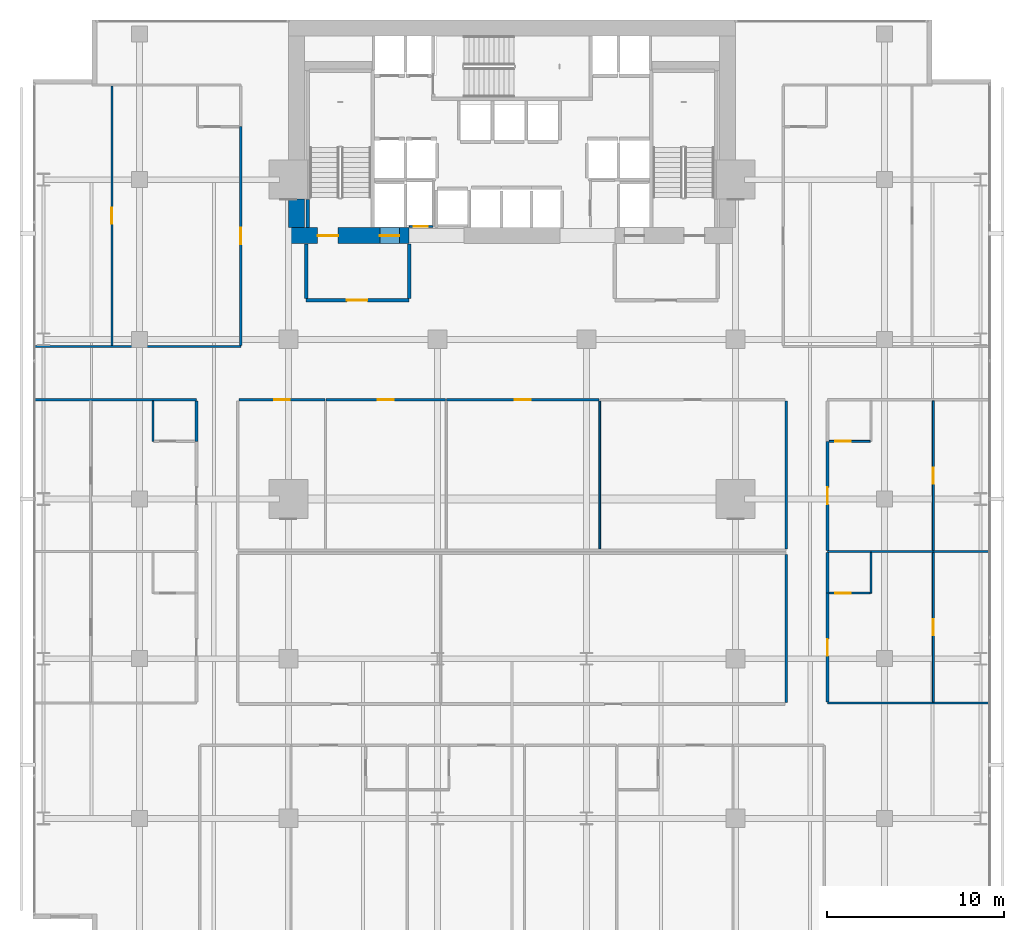
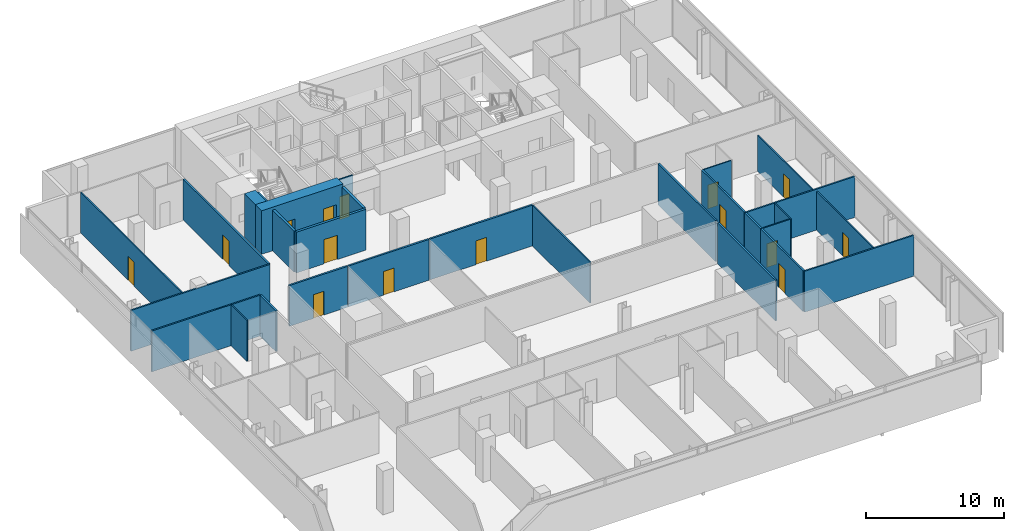
# One storey, part 34 of 39: 29 walls, 15 doors, 15 openings.
"""IFC4 building model written with IfcOpenShell, lengths in metres."""

from ifc_helpers import new_model, si_unit, direction, frame, frame_2d, origin, place, context, subcontext, project, spatial, rectangle, extrude, material, layer, layer_set, type_object, element, fill, save


model = new_model("IFC4")

# Units and contexts
model_context = context("Model", 3, precision=1e-05, world=origin(), true_north=direction((0.0, 1.0)))
body_context = subcontext(model_context, "Body", "Model", "MODEL_VIEW")
ifc_project = project(units=[si_unit("LENGTHUNIT", "METRE"), si_unit("AREAUNIT", "SQUARE_METRE"), si_unit("VOLUMEUNIT", "CUBIC_METRE"), si_unit("PLANEANGLEUNIT", "RADIAN"), si_unit("MASSUNIT", "GRAM", prefix="KILO")], contexts=[model_context])

# Site, building, storey
site_placement = place(None, origin())
site = spatial("IfcSite", under=ifc_project, at=site_placement, CompositionType="ELEMENT")
building_placement = place(site_placement, origin())
building = spatial("IfcBuilding", under=site, at=building_placement, Name="Maruvema Waterfront Hotel and Observation Tower", CompositionType="ELEMENT")
storey_placement = place(building_placement, frame((0.0, 0.0, 69.300048828125)))
storey = spatial("IfcBuildingStorey", under=building, at=storey_placement, Name="L16", CompositionType="ELEMENT", Elevation=69.300048828125)

# Wall
ifc_material_1 = material(Name="Twin-stud acoustic gypsum drywall", Category="gypsum")
ifc_layer_1 = layer(ifc_material_1, 0.14990234375, Name="Acoustic Corridor and Suite Demising Wall 150 mm")
ifc_layer_set_1 = layer_set([ifc_layer_1], Name="Twin-stud acoustic gypsum drywall")
wall_type_1 = type_object("IfcWallType", Name="Acoustic Corridor and Suite Demising Wall 150 mm", PredefinedType="PARTITIONING", material=ifc_layer_set_1)
wall_1_placement = place(storey_placement, frame((53.25, 24.18994140625, 0.0), z_axis=(0.0, 0.0, 1.0), x_axis=(0.0, 1.0, 0.0)))
element("IfcWall", 1, at=wall_1_placement, inside=storey, type_object=wall_type_1, Name="L16 L16-INTN East Wall 014", PredefinedType="PARTITIONING", context=body_context, shape_type="SweptSolid", body=[
    extrude(rectangle(XDim=8.330078125, YDim=0.14990234375, at=frame_2d((4.1650390625, 0.0))), origin(), (0.0, 0.0, 1.0), 3.60986328125),
])

# Wall, opening, door
wall_2_placement = place(storey_placement, frame((22.409912109375, 32.60009765625, 0.0), z_axis=(0.0, 0.0, 1.0), x_axis=(1.0, 0.0, 0.0)))
wall_2 = element("IfcWall", 2, at=wall_2_placement, inside=storey, type_object=wall_type_1, Name="L16 L16-INTN Front 1 015", PredefinedType="PARTITIONING", context=body_context, shape_type="SweptSolid", body=[
    extrude(rectangle(XDim=4.85400390625, YDim=0.14990234375, at=frame_2d((2.427001953125, 0.0))), origin(), (0.0, 0.0, 1.0), 3.60986328125),
])
opening_1_placement = place(wall_2_placement, frame((1.97705078125, 0.0, 0.0)))
opening_1 = element("IfcOpeningElement", 3, at=opening_1_placement, cuts=wall_2, Name="Opening DR-090", PredefinedType="OPENING", context=body_context, shape_type="SweptSolid", body=[
    extrude(rectangle(XDim=0.89990234375, YDim=2.10009765625, at=frame_2d((0.449951171875, 1.050048828125))), frame((0.0, 0.0849609375, 0.0), z_axis=(0.0, -1.0, 0.0), x_axis=(1.0, 0.0, 0.0)), (0.0, 0.0, 1.0), 0.169921875),
])
ifc_material_2 = material(Name="Solid-core lacquered timber leaf", Category="wood")
door_type_1 = type_object("IfcDoorType", Name="Accessible Toilet and Room Door 900x2100 mm", OperationType="NOTDEFINED", PredefinedType="DOOR", material=ifc_material_2)
door_1_placement = place(opening_1_placement, origin())
door_1 = element("IfcDoor", 4, at=door_1_placement, inside=storey, type_object=door_type_1, Name="L16 Diplomatic Dining Kitchen Door", OperationType="SINGLE_SWING_LEFT", OverallHeight=2.10009765625, OverallWidth=0.89990234375, PredefinedType="DOOR", context=body_context, shape_type="SweptSolid", body=[
    extrude(rectangle(XDim=0.89990234375, YDim=2.10009765625, at=frame_2d((0.449951171875, 1.050048828125))), frame((0.0, 0.02490234375, 0.0), z_axis=(0.0, -1.0, 0.0), x_axis=(1.0, 0.0, 0.0)), (0.0, 0.0, 1.0), 0.050048828125),
])
fill(opening_1, door_1)

wall_3_placement = place(storey_placement, frame((27.323974609375, 32.60009765625, 0.0), z_axis=(0.0, 0.0, 1.0), x_axis=(1.0, 0.0, 0.0)))
wall_3 = element("IfcWall", 5, at=wall_3_placement, inside=storey, type_object=wall_type_1, Name="L16 L16-INTN Front 2 017", PredefinedType="PARTITIONING", context=body_context, shape_type="SweptSolid", body=[
    extrude(rectangle(XDim=6.738037109375, YDim=0.14990234375, at=frame_2d((3.369140625, 0.0))), origin(), (0.0, 0.0, 1.0), 3.60986328125),
])
opening_2_placement = place(wall_3_placement, frame((2.9189453125, 0.0, 0.0)))
opening_2 = element("IfcOpeningElement", 6, at=opening_2_placement, cuts=wall_3, Name="Opening DR-090", PredefinedType="OPENING", context=body_context, shape_type="SweptSolid", body=[
    extrude(rectangle(XDim=0.89990234375, YDim=2.10009765625, at=frame_2d((0.449951171875, 1.050048828125))), frame((0.0, 0.0849609375, 0.0), z_axis=(0.0, -1.0, 0.0), x_axis=(1.0, 0.0, 0.0)), (0.0, 0.0, 1.0), 0.169921875),
])
door_2_placement = place(opening_2_placement, origin())
door_2 = element("IfcDoor", 7, at=door_2_placement, inside=storey, type_object=door_type_1, Name="L16 Private Study Office 1 Door", OperationType="SINGLE_SWING_RIGHT", OverallHeight=2.10009765625, OverallWidth=0.89990234375, PredefinedType="DOOR", context=body_context, shape_type="SweptSolid", body=[
    extrude(rectangle(XDim=0.89990234375, YDim=2.10009765625, at=frame_2d((0.449951171875, 1.050048828125))), frame((0.0, 0.02490234375, 0.0), z_axis=(0.0, -1.0, 0.0), x_axis=(1.0, 0.0, 0.0)), (0.0, 0.0, 1.0), 0.050048828125),
])
fill(opening_2, door_2)

wall_4_placement = place(storey_placement, frame((34.1220703125, 32.60009765625, 0.0), z_axis=(0.0, 0.0, 1.0), x_axis=(1.0, 0.0, 0.0)))
wall_4 = element("IfcWall", 8, at=wall_4_placement, inside=storey, type_object=wall_type_1, Name="L16 L16-INTN Front 3 019", PredefinedType="PARTITIONING", context=body_context, shape_type="SweptSolid", body=[
    extrude(rectangle(XDim=8.592041015625, YDim=0.14990234375, at=frame_2d((4.2958984375, 0.0))), origin(), (0.0, 0.0, 1.0), 3.60986328125),
])
opening_3_placement = place(wall_4_placement, frame((3.845947265625, 0.0, 0.0)))
opening_3 = element("IfcOpeningElement", 9, at=opening_3_placement, cuts=wall_4, Name="Opening DR-090", PredefinedType="OPENING", context=body_context, shape_type="SweptSolid", body=[
    extrude(rectangle(XDim=0.89990234375, YDim=2.10009765625, at=frame_2d((0.449951171875, 1.050048828125))), frame((0.0, 0.0849609375, 0.0), z_axis=(0.0, -1.0, 0.0), x_axis=(1.0, 0.0, 0.0)), (0.0, 0.0, 1.0), 0.169921875),
])
door_3_placement = place(opening_3_placement, origin())
door_3 = element("IfcDoor", 10, at=door_3_placement, inside=storey, type_object=door_type_1, Name="L16 Private Study Office 2 Door", OperationType="SINGLE_SWING_LEFT", OverallHeight=2.10009765625, OverallWidth=0.89990234375, PredefinedType="DOOR", context=body_context, shape_type="SweptSolid", body=[
    extrude(rectangle(XDim=0.89990234375, YDim=2.10009765625, at=frame_2d((0.449951171875, 1.050048828125))), frame((0.0, 0.02490234375, 0.0), z_axis=(0.0, -1.0, 0.0), x_axis=(1.0, 0.0, 0.0)), (0.0, 0.0, 1.0), 0.050048828125),
])
fill(opening_3, door_3)

# Wall
wall_5_placement = place(storey_placement, frame((53.25, 15.530029296875, 0.0), z_axis=(0.0, 0.0, 1.0), x_axis=(0.0, 1.0, 0.0)))
element("IfcWall", 11, at=wall_5_placement, inside=storey, type_object=wall_type_1, Name="L16 L16-INTS East Wall 024", PredefinedType="PARTITIONING", context=body_context, shape_type="SweptSolid", body=[
    extrude(rectangle(XDim=8.340087890625, YDim=0.14990234375, at=frame_2d((4.169921875, 0.0))), origin(), (0.0, 0.0, 1.0), 3.60986328125),
])

# Wall, opening, door
wall_6_placement = place(storey_placement, frame((55.580078125, 15.56005859375, 0.0), z_axis=(0.0, 0.0, 1.0), x_axis=(0.0, 1.0, 0.0)))
wall_6 = element("IfcWall", 12, at=wall_6_placement, inside=storey, type_object=wall_type_1, Name="L16 Room L16-E1 Corridor Wall 059", PredefinedType="PARTITIONING", context=body_context, shape_type="SweptSolid", body=[
    extrude(rectangle(XDim=6.139892578125, YDim=0.14990234375, at=frame_2d((3.06982421875, 0.0))), origin(), (0.0, 0.0, 1.0), 3.60986328125),
])
opening_4_placement = place(wall_6_placement, frame((2.594970703125, 0.0, 0.0)))
opening_4 = element("IfcOpeningElement", 13, at=opening_4_placement, cuts=wall_6, Name="Opening DR-095", PredefinedType="OPENING", context=body_context, shape_type="SweptSolid", body=[
    extrude(rectangle(XDim=0.949951171875, YDim=2.14990234375, at=frame_2d((0.47509765625, 1.074951171875))), frame((0.0, 0.0849609375, 0.0), z_axis=(0.0, -1.0, 0.0), x_axis=(1.0, 0.0, 0.0)), (0.0, 0.0, 1.0), 0.169921875),
])
ifc_material_3 = material(Name="Acoustic solid-core hardwood timber leaf", Category="wood")
door_type_2 = type_object("IfcDoorType", Name="Guestroom Entrance Fire Door 950x2150 mm", OperationType="NOTDEFINED", PredefinedType="DOOR", material=ifc_material_3)
door_4_placement = place(opening_4_placement, frame((0.949951171875, 0.0, 0.0), z_axis=(0.0, 0.0, 1.0), x_axis=(-1.0, 0.0, 0.0)))
door_4 = element("IfcDoor", 14, at=door_4_placement, inside=storey, type_object=door_type_2, Name="L16 Room L16-E1 Entrance Door", OperationType="SINGLE_SWING_RIGHT", OverallHeight=2.14990234375, OverallWidth=0.949951171875, PredefinedType="DOOR", context=body_context, shape_type="SweptSolid", body=[
    extrude(rectangle(XDim=0.949951171875, YDim=2.14990234375, at=frame_2d((0.47509765625, 1.074951171875))), frame((0.0, 0.02490234375, 0.0), z_axis=(0.0, -1.0, 0.0), x_axis=(1.0, 0.0, 0.0)), (0.0, 0.0, 1.0), 0.050048828125),
])
fill(opening_4, door_4)

# Walls
for number, where, z_axis, x_axis, name in (
    (15, (55.580078125, 21.699951171875, 0.0), (0.0, 0.0, 1.0), (0.0, 1.0, 0.0), "L16 Bath L16-E1 Wall 060"),
    (16, (20.02001953125, 30.25, 0.0), (0.0, 0.0, 1.0), (0.0, 1.0, 0.0), "L16 Bath L16-W2 Wall 067"),
):
    element("IfcWall", number, at=place(storey_placement, frame(where, z_axis=z_axis, x_axis=x_axis)), inside=storey, type_object=wall_type_1, Name=name, PredefinedType="PARTITIONING", context=body_context, shape_type="SweptSolid", body=[
        extrude(rectangle(XDim=2.2900390625, YDim=0.14990234375, at=frame_2d((1.14501953125, 0.0))), origin(), (0.0, 0.0, 1.0), 3.60986328125),
    ])

# Wall, opening, door
wall_7_placement = place(storey_placement, frame((55.580078125, 24.110107421875, 0.0), z_axis=(0.0, 0.0, 1.0), x_axis=(0.0, 1.0, 0.0)))
wall_7 = element("IfcWall", 17, at=wall_7_placement, inside=storey, type_object=wall_type_1, Name="L16 Room L16-E2 Corridor Wall 071", PredefinedType="PARTITIONING", context=body_context, shape_type="SweptSolid", body=[
    extrude(rectangle(XDim=6.139892578125, YDim=0.14990234375, at=frame_2d((3.06982421875, 0.0))), origin(), (0.0, 0.0, 1.0), 3.60986328125),
])
opening_5_placement = place(wall_7_placement, frame((2.594970703125, 0.0, 0.0)))
opening_5 = element("IfcOpeningElement", 18, at=opening_5_placement, cuts=wall_7, Name="Opening DR-095", PredefinedType="OPENING", context=body_context, shape_type="SweptSolid", body=[
    extrude(rectangle(XDim=0.949951171875, YDim=2.14990234375, at=frame_2d((0.47509765625, 1.074951171875))), frame((0.0, 0.0849609375, 0.0), z_axis=(0.0, -1.0, 0.0), x_axis=(1.0, 0.0, 0.0)), (0.0, 0.0, 1.0), 0.169921875),
])
door_5_placement = place(opening_5_placement, frame((0.949951171875, 0.0, 0.0), z_axis=(0.0, 0.0, 1.0), x_axis=(-1.0, 0.0, 0.0)))
door_5 = element("IfcDoor", 19, at=door_5_placement, inside=storey, type_object=door_type_2, Name="L16 Room L16-E2 Entrance Door", OperationType="SINGLE_SWING_RIGHT", OverallHeight=2.14990234375, OverallWidth=0.949951171875, PredefinedType="DOOR", context=body_context, shape_type="SweptSolid", body=[
    extrude(rectangle(XDim=0.949951171875, YDim=2.14990234375, at=frame_2d((0.47509765625, 1.074951171875))), frame((0.0, 0.02490234375, 0.0), z_axis=(0.0, -1.0, 0.0), x_axis=(1.0, 0.0, 0.0)), (0.0, 0.0, 1.0), 0.050048828125),
])
fill(opening_5, door_5)

wall_8_placement = place(storey_placement, frame((22.52001953125, 35.659912109375, 0.0), z_axis=(0.0, 0.0, 1.0), x_axis=(0.0, 1.0, 0.0)))
wall_8 = element("IfcWall", 20, at=wall_8_placement, inside=storey, type_object=wall_type_1, Name="L16 Room L16-NW1 Corridor Wall 080", PredefinedType="PARTITIONING", context=body_context, shape_type="SweptSolid", body=[
    extrude(rectangle(XDim=12.32763671875, YDim=0.14990234375, at=frame_2d((6.163818359375, 0.0))), origin(), (0.0, 0.0, 1.0), 3.60986328125),
])
opening_6_placement = place(wall_8_placement, frame((5.688720703125, 0.0, 0.0)))
opening_6 = element("IfcOpeningElement", 21, at=opening_6_placement, cuts=wall_8, Name="Opening DR-095", PredefinedType="OPENING", context=body_context, shape_type="SweptSolid", body=[
    extrude(rectangle(XDim=0.949951171875, YDim=2.14990234375, at=frame_2d((0.47509765625, 1.074951171875))), frame((0.0, 0.0849609375, 0.0), z_axis=(0.0, -1.0, 0.0), x_axis=(1.0, 0.0, 0.0)), (0.0, 0.0, 1.0), 0.169921875),
])
door_6_placement = place(opening_6_placement, origin())
door_6 = element("IfcDoor", 22, at=door_6_placement, inside=storey, type_object=door_type_2, Name="L16 Room L16-NW1 Entrance Door", OperationType="SINGLE_SWING_LEFT", OverallHeight=2.14990234375, OverallWidth=0.949951171875, PredefinedType="DOOR", context=body_context, shape_type="SweptSolid", body=[
    extrude(rectangle(XDim=0.949951171875, YDim=2.14990234375, at=frame_2d((0.47509765625, 1.074951171875))), frame((0.0, 0.02490234375, 0.0), z_axis=(0.0, -1.0, 0.0), x_axis=(1.0, 0.0, 0.0)), (0.0, 0.0, 1.0), 0.050048828125),
])
fill(opening_6, door_6)

# Wall
ifc_material_4 = material(Name="Precast concrete C45/55", Category="concrete")
ifc_layer_2 = layer(ifc_material_4, 0.199951171875, Name="Core Shaft and Stairwell Enclosure Wall 200 mm")
ifc_layer_set_2 = layer_set([ifc_layer_2], Name="Precast concrete C45/55")
wall_type_2 = type_object("IfcWallType", Name="Core Shaft and Stairwell Enclosure Wall 200 mm", PredefinedType="SOLIDWALL", material=ifc_layer_set_2)
wall_9_placement = place(storey_placement, frame((26.300048828125, 42.300048828125, 0.0), z_axis=(0.0, 0.0, 1.0), x_axis=(0.0, 1.0, 0.0)))
element("IfcWall", 23, at=wall_9_placement, inside=storey, type_object=wall_type_2, Name="L16 Stairwell ST-01 Shaft Lining Wall", PredefinedType="SOLIDWALL", context=body_context, shape_type="SweptSolid", body=[
    extrude(rectangle(XDim=1.579833984375, YDim=0.199951171875, at=frame_2d((0.7900390625, 0.0))), origin(), (0.0, 0.0, 1.0), 3.60986328125),
])

# Wall, openings, doors
ifc_material_5 = material(Name="Concrete C80/95", Category="concrete")
ifc_layer_3 = layer(ifc_material_5, 0.89990234375, Name="Core Shear Wall 900 mm")
ifc_layer_set_3 = layer_set([ifc_layer_3], Name="Concrete C80/95")
wall_type_3 = type_object("IfcWallType", Name="Core Shear Wall 900 mm", PredefinedType="SHEAR", material=ifc_layer_set_3)
wall_10_placement = place(storey_placement, frame((25.199951171875, 41.85009765625, 0.0), z_axis=(0.0, 0.0, 1.0), x_axis=(1.0, 0.0, 0.0)))
wall_10 = element("IfcWall", 24, at=wall_10_placement, inside=storey, type_object=wall_type_3, Name="L16 South-West Core Shear Wall", PredefinedType="SHEAR", context=body_context, shape_type="SweptSolid", body=[
    extrude(rectangle(XDim=6.800048828125, YDim=0.89990234375, at=frame_2d((3.39990234375, 0.0))), origin(), (0.0, 0.0, 1.0), 3.849853515625),
])
opening_7_placement = place(wall_10_placement, frame((1.64990234375, 0.0, 0.0)))
opening_7 = element("IfcOpeningElement", 25, at=opening_7_placement, cuts=wall_10, Name="Opening SD-01", PredefinedType="OPENING", context=body_context, shape_type="SweptSolid", body=[
    extrude(rectangle(XDim=1.14990234375, YDim=2.14990234375, at=frame_2d((0.574951171875, 1.074951171875))), frame((0.0, 0.4599609375, 0.0), z_axis=(0.0, -1.0, 0.0), x_axis=(1.0, 0.0, 0.0)), (0.0, 0.0, 1.0), 0.919921875),
])
opening_8_placement = place(wall_10_placement, frame((5.14990234375, 0.0, 0.0)))
opening_8 = element("IfcOpeningElement", 26, at=opening_8_placement, cuts=wall_10, Name="Opening LD-03", PredefinedType="OPENING", context=body_context, shape_type="SweptSolid", body=[
    extrude(rectangle(XDim=1.10009765625, YDim=2.199951171875, at=frame_2d((0.550048828125, 1.10009765625))), frame((0.0, 0.4599609375, 0.0), z_axis=(0.0, -1.0, 0.0), x_axis=(1.0, 0.0, 0.0)), (0.0, 0.0, 1.0), 0.919921875),
])
ifc_material_6 = material(Name="Fire-rated galvanised steel leaf", Category="steel")
door_type_3 = type_object("IfcDoorType", Name="Exit Stair Fire Door 1150x2150 mm", OperationType="NOTDEFINED", PredefinedType="DOOR", material=ifc_material_6)
door_7_placement = place(opening_7_placement, origin())
door_7 = element("IfcDoor", 27, at=door_7_placement, inside=storey, type_object=door_type_3, Name="L16 Exit Stair ST-01 Fire Door", OperationType="SINGLE_SWING_LEFT", OverallHeight=2.14990234375, OverallWidth=1.14990234375, PredefinedType="DOOR", context=body_context, shape_type="SweptSolid", body=[
    extrude(rectangle(XDim=1.14990234375, YDim=2.14990234375, at=frame_2d((0.574951171875, 1.074951171875))), frame((0.0, 0.02490234375, 0.0), z_axis=(0.0, -1.0, 0.0), x_axis=(1.0, 0.0, 0.0)), (0.0, 0.0, 1.0), 0.050048828125),
])
fill(opening_7, door_7)
ifc_material_7 = material(Name="Brushed stainless steel Grade 316", Category="steel")
door_type_4 = type_object("IfcDoorType", Name="Firefighting Lift Sliding Landing Door 1100x2200 mm", OperationType="SLIDING_TO_LEFT", PredefinedType="DOOR", material=ifc_material_7)
door_8_placement = place(opening_8_placement, frame((1.10009765625, 0.0, 0.0), z_axis=(0.0, 0.0, 1.0), x_axis=(-1.0, 0.0, 0.0)))
door_8 = element("IfcDoor", 28, at=door_8_placement, inside=storey, type_object=door_type_4, Name="L16 Firefighting Lift FL-01 Landing Door", OperationType="SLIDING_TO_LEFT", OverallHeight=2.199951171875, OverallWidth=1.10009765625, PredefinedType="DOOR", context=body_context, shape_type="SweptSolid", body=[
    extrude(rectangle(XDim=1.10009765625, YDim=2.199951171875, at=frame_2d((0.550048828125, 1.10009765625))), frame((0.0, 0.02490234375, 0.0), z_axis=(0.0, -1.0, 0.0), x_axis=(1.0, 0.0, 0.0)), (0.0, 0.0, 1.0), 0.050048828125),
])
fill(opening_8, door_8)

# Wall
wall_11_placement = place(storey_placement, frame((25.64990234375, 42.300048828125, 0.0), z_axis=(0.0, 0.0, 1.0), x_axis=(0.0, 1.0, 0.0)))
element("IfcWall", 29, at=wall_11_placement, inside=storey, type_object=wall_type_3, Name="L16 West-South Core Shear Wall", PredefinedType="SHEAR", context=body_context, shape_type="SweptSolid", body=[
    extrude(rectangle(XDim=1.599853515625, YDim=0.89990234375, at=frame_2d((0.7998046875, 0.0))), origin(), (0.0, 0.0, 1.0), 3.849853515625),
])

# Wall, opening, door
ifc_material_8 = material(Name="Moisture-resistant cement-board drywall", Category="gypsum")
ifc_layer_4 = layer(ifc_material_8, 0.10009765625, Name="En-Suite Moisture-Resistant Partition 100 mm")
ifc_layer_set_4 = layer_set([ifc_layer_4], Name="Moisture-resistant cement-board drywall")
wall_type_4 = type_object("IfcWallType", Name="En-Suite Moisture-Resistant Partition 100 mm", PredefinedType="PARTITIONING", material=ifc_layer_set_4)
wall_12_placement = place(storey_placement, frame((32.02001953125, 42.360107421875, 0.0), z_axis=(0.0, 0.0, 1.0), x_axis=(1.0, 0.0, 0.0)))
wall_12 = element("IfcWall", 30, at=wall_12_placement, inside=storey, type_object=wall_type_4, Name="L16 Telecom Riser South Wall 007", PredefinedType="PARTITIONING", context=body_context, shape_type="SweptSolid", body=[
    extrude(rectangle(XDim=1.320068359375, YDim=0.10009765625, at=frame_2d((0.66015625, 0.0))), origin(), (0.0, 0.0, 1.0), 3.60986328125),
])
opening_9_placement = place(wall_12_placement, frame((0.239990234375, 0.0, 0.0)))
opening_9 = element("IfcOpeningElement", 31, at=opening_9_placement, cuts=wall_12, Name="Opening DR-080", PredefinedType="OPENING", context=body_context, shape_type="SweptSolid", body=[
    extrude(rectangle(XDim=0.800048828125, YDim=2.050048828125, at=frame_2d((0.39990234375, 1.02490234375))), frame((0.0, 0.06005859375, 0.0), z_axis=(0.0, -1.0, 0.0), x_axis=(1.0, 0.0, 0.0)), (0.0, 0.0, 1.0), 0.1201171875),
])
ifc_material_9 = material(Name="Powder-coated steel access leaf", Category="steel")
door_type_5 = type_object("IfcDoorType", Name="Riser and Service Cupboard Door 800x2050 mm", OperationType="NOTDEFINED", PredefinedType="DOOR", material=ifc_material_9)
door_9_placement = place(opening_9_placement, frame((0.800048828125, 0.0, 0.0), z_axis=(0.0, 0.0, 1.0), x_axis=(-1.0, 0.0, 0.0)))
door_9 = element("IfcDoor", 32, at=door_9_placement, inside=storey, type_object=door_type_5, Name="L16 Telecom Riser Door", OperationType="SINGLE_SWING_LEFT", OverallHeight=2.050048828125, OverallWidth=0.800048828125, PredefinedType="DOOR", context=body_context, shape_type="SweptSolid", body=[
    extrude(rectangle(XDim=0.800048828125, YDim=2.050048828125, at=frame_2d((0.39990234375, 1.02490234375))), frame((0.0, 0.02490234375, 0.0), z_axis=(0.0, -1.0, 0.0), x_axis=(1.0, 0.0, 0.0)), (0.0, 0.0, 1.0), 0.050048828125),
])
fill(opening_9, door_9)

# Walls
wall_13_placement = place(storey_placement, frame((42.743896484375, 24.18994140625, 0.0), z_axis=(0.0, 0.0, 1.0), x_axis=(0.0, 1.0, 0.0)))
element("IfcWall", 33, at=wall_13_placement, inside=storey, type_object=wall_type_4, Name="L16 L16-INTN Split 3 020", PredefinedType="PARTITIONING", context=body_context, shape_type="SweptSolid", body=[
    extrude(rectangle(XDim=8.330078125, YDim=0.10009765625, at=frame_2d((4.1650390625, 0.0))), origin(), (0.0, 0.0, 1.0), 3.60986328125),
])
wall_14_placement = place(storey_placement, frame((58.030029296875, 21.699951171875, 0.0), z_axis=(0.0, 0.0, 1.0), x_axis=(0.0, 1.0, 0.0)))
element("IfcWall", 34, at=wall_14_placement, inside=storey, type_object=wall_type_4, Name="L16 En-Suite L16-E1 E 061", PredefinedType="PARTITIONING", context=body_context, shape_type="SweptSolid", body=[
    extrude(rectangle(XDim=2.2900390625, YDim=0.10009765625, at=frame_2d((1.14501953125, 0.0))), origin(), (0.0, 0.0, 1.0), 3.60986328125),
])

# Wall, opening, door
wall_15_placement = place(storey_placement, frame((55.679931640625, 21.699951171875, 0.0), z_axis=(0.0, 0.0, 1.0), x_axis=(1.0, 0.0, 0.0)))
wall_15 = element("IfcWall", 35, at=wall_15_placement, inside=storey, type_object=wall_type_4, Name="L16 En-Suite L16-E1 S 062", PredefinedType="PARTITIONING", context=body_context, shape_type="SweptSolid", body=[
    extrude(rectangle(XDim=2.300048828125, YDim=0.10009765625, at=frame_2d((1.14990234375, 0.0))), origin(), (0.0, 0.0, 1.0), 3.60986328125),
])
opening_10_placement = place(wall_15_placement, frame((0.35009765625, 0.0, 0.0)))
opening_10 = element("IfcOpeningElement", 36, at=opening_10_placement, cuts=wall_15, Name="Opening DR-085", PredefinedType="OPENING", context=body_context, shape_type="SweptSolid", body=[
    extrude(rectangle(XDim=0.85009765625, YDim=2.10009765625, at=frame_2d((0.425048828125, 1.050048828125))), frame((0.0, 0.06005859375, 0.0), z_axis=(0.0, -1.0, 0.0), x_axis=(1.0, 0.0, 0.0)), (0.0, 0.0, 1.0), 0.1201171875),
])
ifc_material_10 = material(Name="Moisture-resistant solid timber leaf", Category="wood")
door_type_6 = type_object("IfcDoorType", Name="En-Suite Bathroom Door 850x2100 mm", OperationType="NOTDEFINED", PredefinedType="DOOR", material=ifc_material_10)
door_10_placement = place(opening_10_placement, frame((0.85009765625, 0.0, 0.0), z_axis=(0.0, 0.0, 1.0), x_axis=(-1.0, 0.0, 0.0)))
door_10 = element("IfcDoor", 37, at=door_10_placement, inside=storey, type_object=door_type_6, Name="L16 En-Suite L16-E1 Door", OperationType="SINGLE_SWING_LEFT", OverallHeight=2.10009765625, OverallWidth=0.85009765625, PredefinedType="DOOR", context=body_context, shape_type="SweptSolid", body=[
    extrude(rectangle(XDim=0.85009765625, YDim=2.10009765625, at=frame_2d((0.425048828125, 1.050048828125))), frame((0.0, 0.02490234375, 0.0), z_axis=(0.0, -1.0, 0.0), x_axis=(1.0, 0.0, 0.0)), (0.0, 0.0, 1.0), 0.050048828125),
])
fill(opening_10, door_10)

wall_16_placement = place(storey_placement, frame((61.55029296875, 15.56005859375, 0.0), z_axis=(0.0, 0.0, 1.0), x_axis=(0.0, 1.0, 0.0)))
wall_16 = element("IfcWall", 38, at=wall_16_placement, inside=storey, type_object=wall_type_4, Name="L16 Suite L16-E1 Split 063", PredefinedType="PARTITIONING", context=body_context, shape_type="SweptSolid", body=[
    extrude(rectangle(XDim=8.429931640625, YDim=0.10009765625, at=frame_2d((4.21484375, 0.0))), origin(), (0.0, 0.0, 1.0), 3.40283203125),
])
opening_11_placement = place(wall_16_placement, frame((3.764892578125, 0.0, 0.0)))
opening_11 = element("IfcOpeningElement", 39, at=opening_11_placement, cuts=wall_16, Name="Opening DR-090", PredefinedType="OPENING", context=body_context, shape_type="SweptSolid", body=[
    extrude(rectangle(XDim=0.89990234375, YDim=2.10009765625, at=frame_2d((0.449951171875, 1.050048828125))), frame((0.0, 0.06005859375, 0.0), z_axis=(0.0, -1.0, 0.0), x_axis=(1.0, 0.0, 0.0)), (0.0, 0.0, 1.0), 0.1201171875),
])
door_11_placement = place(opening_11_placement, frame((0.89990234375, 0.0, 0.0), z_axis=(0.0, 0.0, 1.0), x_axis=(-1.0, 0.0, 0.0)))
door_11 = element("IfcDoor", 40, at=door_11_placement, inside=storey, type_object=door_type_1, Name="L16 Suite L16-E1 Bedroom Door", OperationType="SINGLE_SWING_LEFT", OverallHeight=2.10009765625, OverallWidth=0.89990234375, PredefinedType="DOOR", context=body_context, shape_type="SweptSolid", body=[
    extrude(rectangle(XDim=0.89990234375, YDim=2.10009765625, at=frame_2d((0.449951171875, 1.050048828125))), frame((0.0, 0.02490234375, 0.0), z_axis=(0.0, -1.0, 0.0), x_axis=(1.0, 0.0, 0.0)), (0.0, 0.0, 1.0), 0.050048828125),
])
fill(opening_11, door_11)

# Wall
wall_17_placement = place(storey_placement, frame((17.570068359375, 30.25, 0.0), z_axis=(0.0, 0.0, 1.0), x_axis=(0.0, 1.0, 0.0)))
element("IfcWall", 41, at=wall_17_placement, inside=storey, type_object=wall_type_4, Name="L16 En-Suite L16-W2 W 068", PredefinedType="PARTITIONING", context=body_context, shape_type="SweptSolid", body=[
    extrude(rectangle(XDim=2.2900390625, YDim=0.10009765625, at=frame_2d((1.14501953125, 0.0))), origin(), (0.0, 0.0, 1.0), 3.60986328125),
])

# Wall, opening, door
wall_18_placement = place(storey_placement, frame((55.679931640625, 30.25, 0.0), z_axis=(0.0, 0.0, 1.0), x_axis=(1.0, 0.0, 0.0)))
wall_18 = element("IfcWall", 42, at=wall_18_placement, inside=storey, type_object=wall_type_4, Name="L16 En-Suite L16-E2 S 074", PredefinedType="PARTITIONING", context=body_context, shape_type="SweptSolid", body=[
    extrude(rectangle(XDim=2.300048828125, YDim=0.10009765625, at=frame_2d((1.14990234375, 0.0))), origin(), (0.0, 0.0, 1.0), 3.60986328125),
])
opening_12_placement = place(wall_18_placement, frame((0.35009765625, 0.0, 0.0)))
opening_12 = element("IfcOpeningElement", 43, at=opening_12_placement, cuts=wall_18, Name="Opening DR-085", PredefinedType="OPENING", context=body_context, shape_type="SweptSolid", body=[
    extrude(rectangle(XDim=0.85009765625, YDim=2.10009765625, at=frame_2d((0.425048828125, 1.050048828125))), frame((0.0, 0.06005859375, 0.0), z_axis=(0.0, -1.0, 0.0), x_axis=(1.0, 0.0, 0.0)), (0.0, 0.0, 1.0), 0.1201171875),
])
door_12_placement = place(opening_12_placement, frame((0.85009765625, 0.0, 0.0), z_axis=(0.0, 0.0, 1.0), x_axis=(-1.0, 0.0, 0.0)))
door_12 = element("IfcDoor", 44, at=door_12_placement, inside=storey, type_object=door_type_6, Name="L16 En-Suite L16-E2 Door", OperationType="SINGLE_SWING_LEFT", OverallHeight=2.10009765625, OverallWidth=0.85009765625, PredefinedType="DOOR", context=body_context, shape_type="SweptSolid", body=[
    extrude(rectangle(XDim=0.85009765625, YDim=2.10009765625, at=frame_2d((0.425048828125, 1.050048828125))), frame((0.0, 0.02490234375, 0.0), z_axis=(0.0, -1.0, 0.0), x_axis=(1.0, 0.0, 0.0)), (0.0, 0.0, 1.0), 0.050048828125),
])
fill(opening_12, door_12)

wall_19_placement = place(storey_placement, frame((61.55029296875, 24.110107421875, 0.0), z_axis=(0.0, 0.0, 1.0), x_axis=(0.0, 1.0, 0.0)))
wall_19 = element("IfcWall", 45, at=wall_19_placement, inside=storey, type_object=wall_type_4, Name="L16 Suite L16-E2 Split 075", PredefinedType="PARTITIONING", context=body_context, shape_type="SweptSolid", body=[
    extrude(rectangle(XDim=8.429931640625, YDim=0.10009765625, at=frame_2d((4.21484375, 0.0))), origin(), (0.0, 0.0, 1.0), 3.20703125),
])
opening_13_placement = place(wall_19_placement, frame((3.764892578125, 0.0, 0.0)))
opening_13 = element("IfcOpeningElement", 46, at=opening_13_placement, cuts=wall_19, Name="Opening DR-090", PredefinedType="OPENING", context=body_context, shape_type="SweptSolid", body=[
    extrude(rectangle(XDim=0.89990234375, YDim=2.10009765625, at=frame_2d((0.449951171875, 1.050048828125))), frame((0.0, 0.06005859375, 0.0), z_axis=(0.0, -1.0, 0.0), x_axis=(1.0, 0.0, 0.0)), (0.0, 0.0, 1.0), 0.1201171875),
])
door_13_placement = place(opening_13_placement, frame((0.89990234375, 0.0, 0.0), z_axis=(0.0, 0.0, 1.0), x_axis=(-1.0, 0.0, 0.0)))
door_13 = element("IfcDoor", 47, at=door_13_placement, inside=storey, type_object=door_type_1, Name="L16 Suite L16-E2 Bedroom Door", OperationType="SINGLE_SWING_LEFT", OverallHeight=2.10009765625, OverallWidth=0.89990234375, PredefinedType="DOOR", context=body_context, shape_type="SweptSolid", body=[
    extrude(rectangle(XDim=0.89990234375, YDim=2.10009765625, at=frame_2d((0.449951171875, 1.050048828125))), frame((0.0, 0.02490234375, 0.0), z_axis=(0.0, -1.0, 0.0), x_axis=(1.0, 0.0, 0.0)), (0.0, 0.0, 1.0), 0.050048828125),
])
fill(opening_13, door_13)

wall_20_placement = place(storey_placement, frame((15.24951171875, 35.659912109375, 0.0), z_axis=(0.0, 0.0, 1.0), x_axis=(0.0, 1.0, 0.0)))
wall_20 = element("IfcWall", 48, at=wall_20_placement, inside=storey, type_object=wall_type_4, Name="L16 Suite L16-NW1 Split 084", PredefinedType="PARTITIONING", context=body_context, shape_type="SweptSolid", body=[
    extrude(rectangle(XDim=14.61767578125, YDim=0.10009765625, at=frame_2d((7.308837890625, 0.0))), origin(), (0.0, 0.0, 1.0), 3.60986328125),
])
opening_14_placement = place(wall_20_placement, frame((6.85888671875, 0.0, 0.0)))
opening_14 = element("IfcOpeningElement", 49, at=opening_14_placement, cuts=wall_20, Name="Opening DR-090", PredefinedType="OPENING", context=body_context, shape_type="SweptSolid", body=[
    extrude(rectangle(XDim=0.89990234375, YDim=2.10009765625, at=frame_2d((0.449951171875, 1.050048828125))), frame((0.0, 0.06005859375, 0.0), z_axis=(0.0, -1.0, 0.0), x_axis=(1.0, 0.0, 0.0)), (0.0, 0.0, 1.0), 0.1201171875),
])
door_14_placement = place(opening_14_placement, origin())
door_14 = element("IfcDoor", 50, at=door_14_placement, inside=storey, type_object=door_type_1, Name="L16 Suite L16-NW1 Bedroom Door", OperationType="SINGLE_SWING_RIGHT", OverallHeight=2.10009765625, OverallWidth=0.89990234375, PredefinedType="DOOR", context=body_context, shape_type="SweptSolid", body=[
    extrude(rectangle(XDim=0.89990234375, YDim=2.10009765625, at=frame_2d((0.449951171875, 1.050048828125))), frame((0.0, 0.02490234375, 0.0), z_axis=(0.0, -1.0, 0.0), x_axis=(1.0, 0.0, 0.0)), (0.0, 0.0, 1.0), 0.050048828125),
])
fill(opening_14, door_14)

ifc_material_11 = material(Name="Autoclaved cellular concrete blockwork", Category="masonry")
ifc_layer_5 = layer(ifc_material_11, 0.199951171875, Name="Fire Compartment Masonry Wall 200 mm")
ifc_layer_set_5 = layer_set([ifc_layer_5], Name="Autoclaved cellular concrete blockwork")
wall_type_5 = type_object("IfcWallType", Name="Fire Compartment Masonry Wall 200 mm", PredefinedType="PARTITIONING", material=ifc_layer_set_5)
wall_21_placement = place(storey_placement, frame((26.199951171875, 38.199951171875, 0.0), z_axis=(0.0, 0.0, 1.0), x_axis=(1.0, 0.0, 0.0)))
wall_21 = element("IfcWall", 51, at=wall_21_placement, inside=storey, type_object=wall_type_5, Name="L16 FFL West South Wall 001", PredefinedType="PARTITIONING", context=body_context, shape_type="SweptSolid", body=[
    extrude(rectangle(XDim=5.800048828125, YDim=0.199951171875, at=frame_2d((2.89990234375, 0.0))), origin(), (0.0, 0.0, 1.0), 3.60986328125),
])
opening_15_placement = place(wall_21_placement, frame((2.300048828125, 0.0, 0.0)))
opening_15 = element("IfcOpeningElement", 52, at=opening_15_placement, cuts=wall_21, Name="Opening FD-115", PredefinedType="OPENING", context=body_context, shape_type="SweptSolid", body=[
    extrude(rectangle(XDim=1.14990234375, YDim=2.14990234375, at=frame_2d((0.574951171875, 1.074951171875))), frame((0.0, 0.10986328125, 0.0), z_axis=(0.0, -1.0, 0.0), x_axis=(1.0, 0.0, 0.0)), (0.0, 0.0, 1.0), 0.219970703125),
])
ifc_material_12 = material(Name="Fire-rated galvanised steel and vision glass", Category="steel")
door_type_7 = type_object("IfcDoorType", Name="Firefighting Lobby Fire Door 1150x2150 mm", OperationType="NOTDEFINED", PredefinedType="DOOR", material=ifc_material_12)
door_15_placement = place(opening_15_placement, frame((1.14990234375, 0.0, 0.0), z_axis=(0.0, 0.0, 1.0), x_axis=(-1.0, 0.0, 0.0)))
door_15 = element("IfcDoor", 53, at=door_15_placement, inside=storey, type_object=door_type_7, Name="L16 Firefighting Lobby West Door", OperationType="SINGLE_SWING_LEFT", OverallHeight=2.14990234375, OverallWidth=1.14990234375, PredefinedType="DOOR", context=body_context, shape_type="SweptSolid", body=[
    extrude(rectangle(XDim=1.14990234375, YDim=2.14990234375, at=frame_2d((0.574951171875, 1.074951171875))), frame((0.0, 0.02490234375, 0.0), z_axis=(0.0, -1.0, 0.0), x_axis=(1.0, 0.0, 0.0)), (0.0, 0.0, 1.0), 0.050048828125),
])
fill(opening_15, door_15)

# Walls
for number, where, z_axis, x_axis, name in (
    (54, (26.199951171875, 38.31005859375, 0.0), (0.0, 0.0, 1.0), (0.0, 1.0, 0.0), "L16 FFL West West Wall 002"),
    (55, (32.0, 38.31005859375, 0.0), (0.0, 0.0, 1.0), (0.0, 1.0, 0.0), "L16 FFL West East Wall 003"),
):
    element("IfcWall", number, at=place(storey_placement, frame(where, z_axis=z_axis, x_axis=x_axis)), inside=storey, type_object=wall_type_5, Name=name, PredefinedType="PARTITIONING", context=body_context, shape_type="SweptSolid", body=[
        extrude(rectangle(XDim=3.06982421875, YDim=0.199951171875, at=frame_2d((1.534912109375, 0.0))), origin(), (0.0, 0.0, 1.0), 3.60986328125),
    ])
ifc_material_13 = material(Name="Acoustic gypsum plasterboard drywall", Category="gypsum")
ifc_layer_6 = layer(ifc_material_13, 0.125, Name="Guestroom Acoustic Demising Wall 125 mm")
ifc_layer_set_6 = layer_set([ifc_layer_6], Name="Acoustic gypsum plasterboard drywall")
wall_type_6 = type_object("IfcWallType", Name="Guestroom Acoustic Demising Wall 125 mm", PredefinedType="PARTITIONING", material=ifc_layer_set_6)
wall_22_placement = place(storey_placement, frame((55.580078125, 15.5, 0.0), z_axis=(0.0, 0.0, 1.0), x_axis=(1.0, 0.0, 0.0)))
element("IfcWall", 56, at=wall_22_placement, inside=storey, type_object=wall_type_6, Name="L16 E Bot End 051", PredefinedType="PARTITIONING", context=body_context, shape_type="SweptSolid", body=[
    extrude(rectangle(XDim=9.119873046875, YDim=0.125, at=frame_2d((4.56005859375, 0.0))), origin(), (0.0, 0.0, 1.0), 3.60986328125),
])
wall_23_placement = place(storey_placement, frame((10.89990234375, 32.60009765625, 0.0), z_axis=(0.0, 0.0, 1.0), x_axis=(1.0, 0.0, 0.0)))
element("IfcWall", 57, at=wall_23_placement, inside=storey, type_object=wall_type_6, Name="L16 W Top End 052", PredefinedType="PARTITIONING", context=body_context, shape_type="SweptSolid", body=[
    extrude(rectangle(XDim=9.1201171875, YDim=0.125, at=frame_2d((4.56005859375, 0.0))), origin(), (0.0, 0.0, 1.0), 3.60986328125),
])
wall_24_placement = place(storey_placement, frame((55.580078125, 24.050048828125, 0.0), z_axis=(0.0, 0.0, 1.0), x_axis=(1.0, 0.0, 0.0)))
element("IfcWall", 58, at=wall_24_placement, inside=storey, type_object=wall_type_6, Name="L16 E Demising 2 065", PredefinedType="PARTITIONING", context=body_context, shape_type="SweptSolid", body=[
    extrude(rectangle(XDim=9.119873046875, YDim=0.125, at=frame_2d((4.56005859375, 0.0))), origin(), (0.0, 0.0, 1.0), 3.60986328125),
])
wall_25_placement = place(storey_placement, frame((10.89990234375, 35.60009765625, 0.0), z_axis=(0.0, 0.0, 1.0), x_axis=(1.0, 0.0, 0.0)))
element("IfcWall", 59, at=wall_25_placement, inside=storey, type_object=wall_type_6, Name="L16 NW Bot End 076", PredefinedType="PARTITIONING", context=body_context, shape_type="SweptSolid", body=[
    extrude(rectangle(XDim=11.6201171875, YDim=0.125, at=frame_2d((5.81005859375, 0.0))), origin(), (0.0, 0.0, 1.0), 3.60986328125),
])

save(model, "model.ifc")
